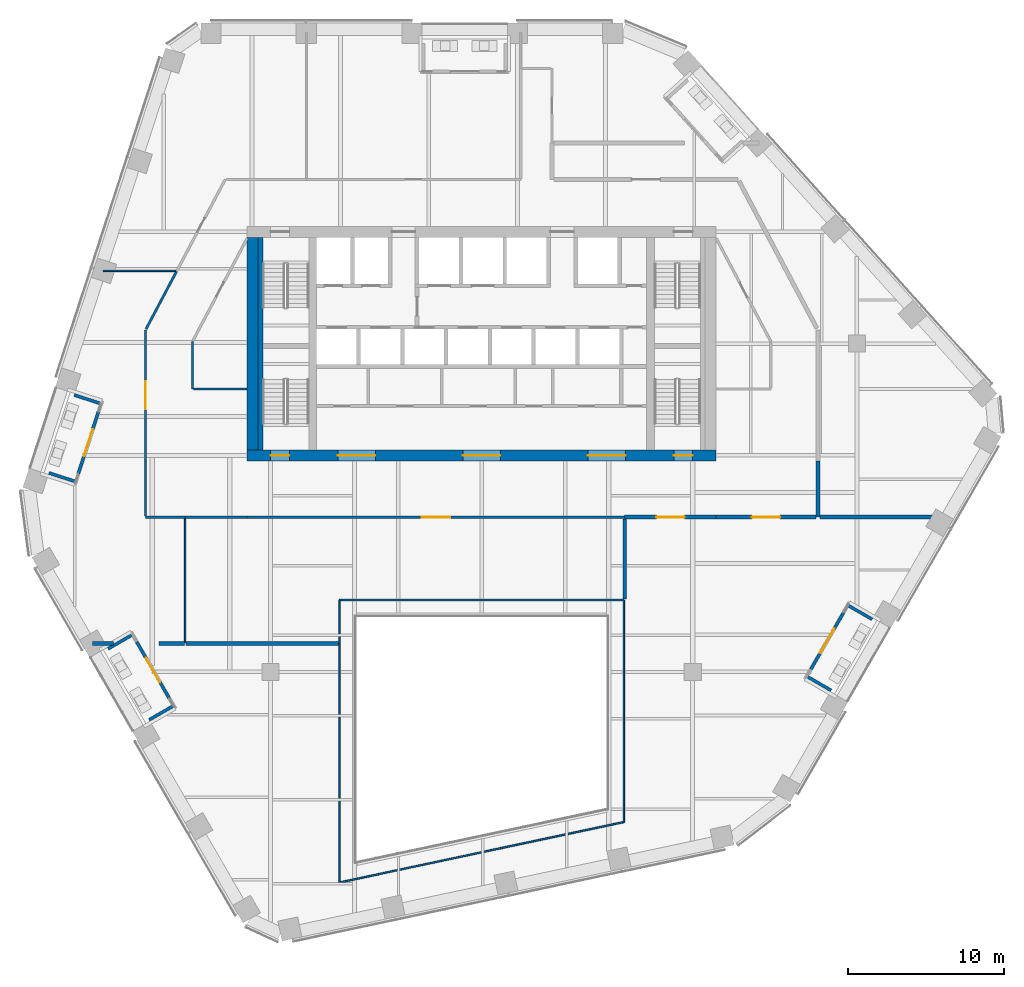
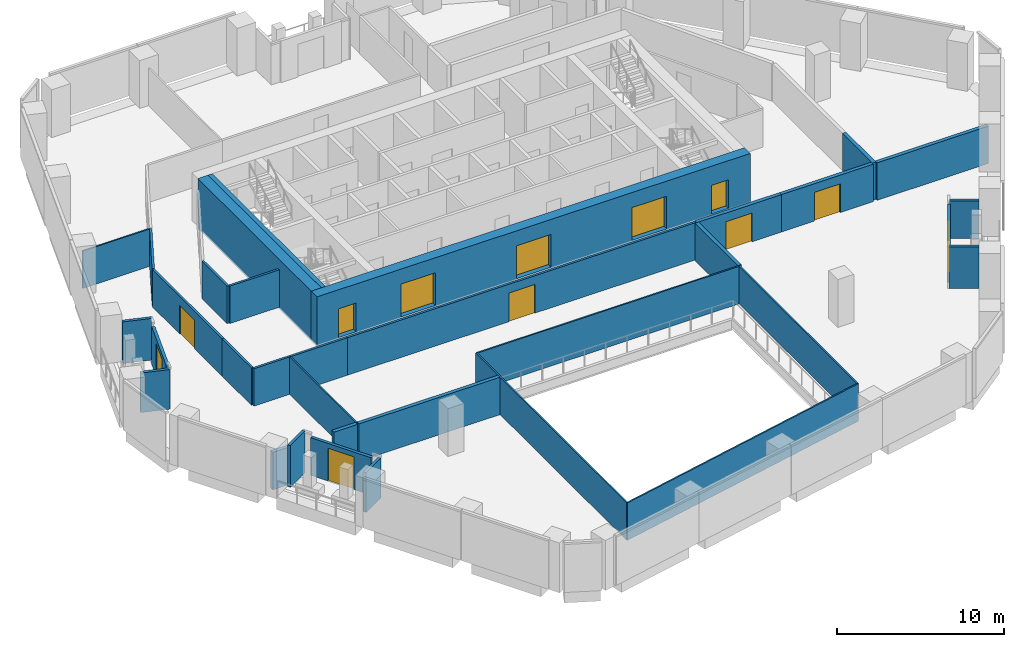
# One storey, part 18 of 25: 34 walls, 12 doors, 12 openings.
"""IFC4 building model written with IfcOpenShell, lengths in metres."""

from ifc_helpers import new_model, si_unit, direction, frame, frame_2d, origin, place, context, subcontext, project, spatial, rectangle, extrude, material, layer, layer_set, type_object, element, fill, save


model = new_model("IFC4")

# Units and contexts
model_context = context("Model", 3, precision=1e-05, world=origin(), true_north=direction((0.0, 1.0)))
body_context = subcontext(model_context, "Body", "Model", "MODEL_VIEW")
ifc_project = project(units=[si_unit("LENGTHUNIT", "METRE"), si_unit("AREAUNIT", "SQUARE_METRE"), si_unit("VOLUMEUNIT", "CUBIC_METRE"), si_unit("PLANEANGLEUNIT", "RADIAN"), si_unit("MASSUNIT", "GRAM", prefix="KILO")], contexts=[model_context])

# Site, building, storey
site_placement = place(None, origin())
site = spatial("IfcSite", under=ifc_project, at=site_placement, CompositionType="ELEMENT")
building_placement = place(site_placement, origin())
building = spatial("IfcBuilding", under=site, at=building_placement, Name="Isthmus Gate Tower", CompositionType="ELEMENT")
storey_placement = place(building_placement, frame((0.0, 0.0, 174.449951171875)))
storey = spatial("IfcBuildingStorey", under=building, at=storey_placement, Name="L43", CompositionType="ELEMENT", Elevation=174.449951171875)

# Wall, opening, door
ifc_material_1 = material(Name="Double-leaf acoustic stud wall, fire-rated", Category="gypsum")
ifc_layer_1 = layer(ifc_material_1, 0.25)
ifc_layer_set_1 = layer_set([ifc_layer_1], Name="ACOUSTIC WALL 250 60 MIN")
wall_type_1 = type_object("IfcWallType", Name="ACOUSTIC WALL 250 60 MIN", PredefinedType="PARTITIONING", material=ifc_layer_set_1)
wall_1_placement = place(storey_placement, frame((15.0, -3.60009765625, 0.0), z_axis=(0.0, 0.0, 1.0), x_axis=(-1.0, 0.0, 0.0)))
wall_1 = element("IfcWall", 1, at=wall_1_placement, inside=storey, type_object=wall_type_1, Name="L43 Acoustic Wall 250 60 Min", PredefinedType="PARTITIONING", context=body_context, shape_type="SweptSolid", body=[
    extrude(rectangle(XDim=5.85009765625, YDim=0.25, at=frame_2d((2.925048828125, 0.0))), origin(), (0.0, 0.0, 1.0), 2.7412109375),
])
opening_1_placement = place(wall_1_placement, frame((2.02490234375, 0.0, 0.0)))
opening_1 = element("IfcOpeningElement", 2, at=opening_1_placement, cuts=wall_1, Name="Opening DT-T4A-10", PredefinedType="OPENING", context=body_context, shape_type="SweptSolid", body=[
    extrude(rectangle(XDim=1.800048828125, YDim=2.10009765625, at=frame_2d((0.89990234375, 1.050048828125))), frame((0.0, 0.135009765625, 0.0), z_axis=(0.0, -1.0, 0.0), x_axis=(1.0, 0.0, 0.0)), (0.0, 0.0, 1.0), 0.27001953125),
])
ifc_material_2 = material(Name="Solid core timber door leaf, fire-rated", Category="wood")
door_type_1 = type_object("IfcDoorType", Name="FIRE DOOR ACOUSTIC ROOM 1800 X 2100 60 MIN", OperationType="DOUBLE_DOOR_DOUBLE_SWING", PredefinedType="DOOR", material=ifc_material_2)
door_1_placement = place(opening_1_placement, origin())
door_1 = element("IfcDoor", 3, at=door_1_placement, inside=storey, type_object=door_type_1, Name="L43 room door", OperationType="DOUBLE_DOOR_DOUBLE_SWING", OverallHeight=2.10009765625, OverallWidth=1.800048828125, PredefinedType="DOOR", context=body_context, shape_type="SweptSolid", body=[
    extrude(rectangle(XDim=1.800048828125, YDim=2.10009765625, at=frame_2d((0.89990234375, 1.050048828125))), frame((0.0, 0.02490234375, 0.0), z_axis=(0.0, -1.0, 0.0), x_axis=(1.0, 0.0, 0.0)), (0.0, 0.0, 1.0), 0.050048828125),
])
fill(opening_1, door_1)

# Wall
wall_2_placement = place(storey_placement, frame((21.5, 0.0, 0.0), z_axis=(0.0, 0.0, 1.0), x_axis=(0.0, -1.0, 0.0)))
element("IfcWall", 4, at=wall_2_placement, inside=storey, type_object=wall_type_1, Name="L43 Acoustic Wall 250 60 Min", PredefinedType="PARTITIONING", context=body_context, shape_type="SweptSolid", body=[
    extrude(rectangle(XDim=3.60009765625, YDim=0.25, at=frame_2d((1.800048828125, 0.0))), origin(), (0.0, 0.0, 1.0), 2.7412109375),
])

# Wall, opening, door
wall_3_placement = place(storey_placement, frame((21.375, -3.60009765625, 0.0), z_axis=(0.0, 0.0, 1.0), x_axis=(-1.0, 0.0, 0.0)))
wall_3 = element("IfcWall", 5, at=wall_3_placement, inside=storey, type_object=wall_type_1, Name="L43 Acoustic Wall 250 60 Min", PredefinedType="PARTITIONING", context=body_context, shape_type="SweptSolid", body=[
    extrude(rectangle(XDim=6.375, YDim=0.25, at=frame_2d((3.1875, 0.0))), origin(), (0.0, 0.0, 1.0), 2.7412109375),
])
opening_2_placement = place(wall_3_placement, frame((2.28759765625, 0.0, 0.0)))
opening_2 = element("IfcOpeningElement", 6, at=opening_2_placement, cuts=wall_3, Name="Opening DT-T4A-09", PredefinedType="OPENING", context=body_context, shape_type="SweptSolid", body=[
    extrude(rectangle(XDim=1.800048828125, YDim=2.10009765625, at=frame_2d((0.89990234375, 1.050048828125))), frame((0.0, 0.135009765625, 0.0), z_axis=(0.0, -1.0, 0.0), x_axis=(1.0, 0.0, 0.0)), (0.0, 0.0, 1.0), 0.27001953125),
])
door_2_placement = place(opening_2_placement, origin())
door_2 = element("IfcDoor", 7, at=door_2_placement, inside=storey, type_object=door_type_1, Name="L43 room door", OperationType="DOUBLE_DOOR_DOUBLE_SWING", OverallHeight=2.10009765625, OverallWidth=1.800048828125, PredefinedType="DOOR", context=body_context, shape_type="SweptSolid", body=[
    extrude(rectangle(XDim=1.800048828125, YDim=2.10009765625, at=frame_2d((0.89990234375, 1.050048828125))), frame((0.0, 0.02490234375, 0.0), z_axis=(0.0, -1.0, 0.0), x_axis=(1.0, 0.0, 0.0)), (0.0, 0.0, 1.0), 0.050048828125),
])
fill(opening_2, door_2)

# Walls
wall_4_placement = place(storey_placement, frame((21.6259765625, -3.597900390625, 0.0), z_axis=(0.0, 0.0, 1.0), x_axis=(1.0, 0.0, 0.0)))
element("IfcWall", 8, at=wall_4_placement, inside=storey, type_object=wall_type_1, Name="L43 Acoustic Wall 250 60 Min", PredefinedType="PARTITIONING", context=body_context, shape_type="SweptSolid", body=[
    extrude(rectangle(XDim=7.72509765625, YDim=0.25, at=frame_2d((3.862548828125, 0.0))), origin(), (0.0, 0.0, 1.0), 2.7412109375),
])
wall_5_placement = place(storey_placement, frame((-24.887939453125, -11.693115234375, 0.0), z_axis=(0.0, 0.0, 1.0), x_axis=(1.0, 0.0, 0.0)))
element("IfcWall", 9, at=wall_5_placement, inside=storey, type_object=wall_type_1, Name="L43 Acoustic Wall 250 60 Min", PredefinedType="PARTITIONING", context=body_context, shape_type="SweptSolid", body=[
    extrude(rectangle(XDim=1.328125, YDim=0.25, at=frame_2d((0.6640625, 0.0))), origin(), (0.0, 0.0, 1.0), 2.7412109375),
])
wall_6_placement = place(storey_placement, frame((-20.64013671875, -11.693115234375, 0.0), z_axis=(0.0, 0.0, 1.0), x_axis=(1.0, 0.0, 0.0)))
element("IfcWall", 10, at=wall_6_placement, inside=storey, type_object=wall_type_1, Name="L43 Acoustic Wall 250 60 Min", PredefinedType="PARTITIONING", context=body_context, shape_type="SweptSolid", body=[
    extrude(rectangle(XDim=1.625244140625, YDim=0.25, at=frame_2d((0.8125, 0.0))), origin(), (0.0, 0.0, 1.0), 2.7412109375),
])
wall_7_placement = place(storey_placement, frame((-18.9150390625, -11.693115234375, 0.0), z_axis=(0.0, 0.0, 1.0), x_axis=(1.0, 0.0, 0.0)))
element("IfcWall", 11, at=wall_7_placement, inside=storey, type_object=wall_type_1, Name="L43 Acoustic Wall 250 60 Min", PredefinedType="PARTITIONING", context=body_context, shape_type="SweptSolid", body=[
    extrude(rectangle(XDim=9.76513671875, YDim=0.25, at=frame_2d((4.882568359375, 0.0))), origin(), (0.0, 0.0, 1.0), 2.7412109375),
])
wall_8_placement = place(storey_placement, frame((9.14990234375, -8.85009765625, 0.0), z_axis=(0.0, 0.0, 1.0), x_axis=(0.0, 1.0, 0.0)))
element("IfcWall", 12, at=wall_8_placement, inside=storey, type_object=wall_type_1, Name="L43 Acoustic Wall 250 60 Min", PredefinedType="PARTITIONING", context=body_context, shape_type="SweptSolid", body=[
    extrude(rectangle(XDim=5.125, YDim=0.25, at=frame_2d((2.5625, 0.0))), origin(), (0.0, 0.0, 1.0), 2.7412109375),
])
ifc_material_3 = material(Name="Fire-rated laminated glass in steel frame", Category="steel")
ifc_layer_2 = layer(ifc_material_3, 0.10009765625)
ifc_layer_set_2 = layer_set([ifc_layer_2], Name="ATRIUM SCREEN GLAZED WALL 100 120 MIN")
wall_type_2 = type_object("IfcWallType", Name="ATRIUM SCREEN GLAZED WALL 100 120 MIN", PredefinedType="PARTITIONING", material=ifc_layer_set_2)
wall_9_placement = place(storey_placement, frame((-9.10009765625, -8.89990234375, 0.0), z_axis=(0.0, 0.0, 1.0), x_axis=(1.0, 0.0, 0.0)))
element("IfcWall", 13, at=wall_9_placement, inside=storey, type_object=wall_type_2, Name="L43 atrium screen", PredefinedType="PARTITIONING", context=body_context, shape_type="SweptSolid", body=[
    extrude(rectangle(XDim=18.2001953125, YDim=0.10009765625, at=frame_2d((9.10009765625, 0.0))), origin(), (0.0, 0.0, 1.0), 2.7412109375),
])
wall_10_placement = place(storey_placement, frame((9.10009765625, -8.89990234375, 0.0), z_axis=(0.0, 0.0, 1.0), x_axis=(0.0, -1.0, 0.0)))
element("IfcWall", 14, at=wall_10_placement, inside=storey, type_object=wall_type_2, Name="L43 atrium screen", PredefinedType="PARTITIONING", context=body_context, shape_type="SweptSolid", body=[
    extrude(rectangle(XDim=14.200927734375, YDim=0.10009765625, at=frame_2d((7.1005859375, 0.0))), origin(), (0.0, 0.0, 1.0), 2.7412109375),
])
wall_11_placement = place(storey_placement, frame((9.10009765625, -23.100830078125, 0.0), z_axis=(0.0, 0.0, 1.0), x_axis=(-0.978146710971, -0.207915876778, 0.0)))
element("IfcWall", 15, at=wall_11_placement, inside=storey, type_object=wall_type_2, Name="L43 atrium screen", PredefinedType="PARTITIONING", context=body_context, shape_type="SweptSolid", body=[
    extrude(rectangle(XDim=18.60693359375, YDim=0.10009765625, at=frame_2d((9.303466796875, 0.0))), origin(), (0.0, 0.0, 1.0), 2.7412109375),
])
wall_12_placement = place(storey_placement, frame((-9.10009765625, -26.969482421875, 0.0), z_axis=(0.0, 0.0, 1.0), x_axis=(0.0, 1.0, 0.0)))
element("IfcWall", 16, at=wall_12_placement, inside=storey, type_object=wall_type_2, Name="L43 atrium screen", PredefinedType="PARTITIONING", context=body_context, shape_type="SweptSolid", body=[
    extrude(rectangle(XDim=18.069580078125, YDim=0.10009765625, at=frame_2d((9.03466796875, 0.0))), origin(), (0.0, 0.0, 1.0), 2.7412109375),
])

# Wall, opening, door
ifc_material_4 = material(Name="Gypsum board on steel studs, fire-rated", Category="steel")
ifc_layer_3 = layer(ifc_material_4, 0.14990234375)
ifc_layer_set_3 = layer_set([ifc_layer_3], Name="CORRIDOR WALL 150 60 MIN")
wall_type_3 = type_object("IfcWallType", Name="CORRIDOR WALL 150 60 MIN", PredefinedType="PARTITIONING", material=ifc_layer_set_3)
wall_13_placement = place(storey_placement, frame((9.14990234375, -3.60009765625, 0.0), z_axis=(0.0, 0.0, 1.0), x_axis=(-1.0, 0.0, 0.0)))
wall_13 = element("IfcWall", 17, at=wall_13_placement, inside=storey, type_object=wall_type_3, Name="L43 Corridor Wall 150 60 Min", PredefinedType="PARTITIONING", context=body_context, shape_type="SweptSolid", body=[
    extrude(rectangle(XDim=24.14990234375, YDim=0.14990234375, at=frame_2d((12.074951171875, 0.0))), origin(), (0.0, 0.0, 1.0), 2.7412109375),
])
opening_3_placement = place(wall_13_placement, frame((11.175048828125, 0.0, 0.0)))
opening_3 = element("IfcOpeningElement", 18, at=opening_3_placement, cuts=wall_13, Name="Opening DT-T4A-08", PredefinedType="OPENING", context=body_context, shape_type="SweptSolid", body=[
    extrude(rectangle(XDim=1.800048828125, YDim=2.10009765625, at=frame_2d((0.89990234375, 1.050048828125))), frame((0.0, 0.0849609375, 0.0), z_axis=(0.0, -1.0, 0.0), x_axis=(1.0, 0.0, 0.0)), (0.0, 0.0, 1.0), 0.169921875),
])
ifc_material_5 = material(Name="Solid core timber door leaf, fire-rated", Category="wood")
door_type_2 = type_object("IfcDoorType", Name="FIRE DOOR ROOM 1800 X 2100 60 MIN", OperationType="DOUBLE_DOOR_DOUBLE_SWING", PredefinedType="DOOR", material=ifc_material_5)
door_3_placement = place(opening_3_placement, origin())
door_3 = element("IfcDoor", 19, at=door_3_placement, inside=storey, type_object=door_type_2, Name="L43 room door", OperationType="DOUBLE_DOOR_DOUBLE_SWING", OverallHeight=2.10009765625, OverallWidth=1.800048828125, PredefinedType="DOOR", context=body_context, shape_type="SweptSolid", body=[
    extrude(rectangle(XDim=1.800048828125, YDim=2.10009765625, at=frame_2d((0.89990234375, 1.050048828125))), frame((0.0, 0.02490234375, 0.0), z_axis=(0.0, -1.0, 0.0), x_axis=(1.0, 0.0, 0.0)), (0.0, 0.0, 1.0), 0.050048828125),
])
fill(opening_3, door_3)

# Walls
wall_14_placement = place(storey_placement, frame((-18.965087890625, -3.60009765625, 0.0), z_axis=(0.0, 0.0, 1.0), x_axis=(-1.0, 0.0, 0.0)))
element("IfcWall", 20, at=wall_14_placement, inside=storey, type_object=wall_type_3, Name="L43 Corridor Wall 150 60 Min", PredefinedType="PARTITIONING", context=body_context, shape_type="SweptSolid", body=[
    extrude(rectangle(XDim=2.534912109375, YDim=0.14990234375, at=frame_2d((1.267578125, 0.0))), origin(), (0.0, 0.0, 1.0), 2.7412109375),
])
wall_15_placement = place(storey_placement, frame((-15.0, -3.60009765625, 0.0), z_axis=(0.0, 0.0, 1.0), x_axis=(-1.0, 0.0, 0.0)))
element("IfcWall", 21, at=wall_15_placement, inside=storey, type_object=wall_type_3, Name="L43 Corridor Wall 150 60 Min", PredefinedType="PARTITIONING", context=body_context, shape_type="SweptSolid", body=[
    extrude(rectangle(XDim=3.965087890625, YDim=0.14990234375, at=frame_2d((1.982421875, 0.0))), origin(), (0.0, 0.0, 1.0), 2.7412109375),
])
wall_16_placement = place(storey_placement, frame((-18.5, 7.626953125, 0.0), z_axis=(0.0, 0.0, 1.0), x_axis=(0.0, -1.0, 0.0)))
element("IfcWall", 22, at=wall_16_placement, inside=storey, type_object=wall_type_3, Name="L43 Corridor Wall 150 60 Min", PredefinedType="PARTITIONING", context=body_context, shape_type="SweptSolid", body=[
    extrude(rectangle(XDim=3.02685546875, YDim=0.14990234375, at=frame_2d((1.513427734375, 0.0))), origin(), (0.0, 0.0, 1.0), 2.7412109375),
])
wall_17_placement = place(storey_placement, frame((-18.425048828125, 4.60009765625, 0.0), z_axis=(0.0, 0.0, 1.0), x_axis=(1.0, 0.0, 0.0)))
element("IfcWall", 23, at=wall_17_placement, inside=storey, type_object=wall_type_3, Name="L43 Corridor Wall 150 60 Min", PredefinedType="PARTITIONING", context=body_context, shape_type="SweptSolid", body=[
    extrude(rectangle(XDim=3.425048828125, YDim=0.14990234375, at=frame_2d((1.71240234375, 0.0))), origin(), (0.0, 0.0, 1.0), 2.7412109375),
])
wall_18_placement = place(storey_placement, frame((-21.5, -3.52490234375, 0.0), z_axis=(0.0, 0.0, 1.0), x_axis=(0.0, 1.0, 0.0)))
element("IfcWall", 24, at=wall_18_placement, inside=storey, type_object=wall_type_3, Name="L43 Corridor Wall 150 60 Min", PredefinedType="PARTITIONING", context=body_context, shape_type="SweptSolid", body=[
    extrude(rectangle(XDim=3.52490234375, YDim=0.14990234375, at=frame_2d((1.762451171875, 0.0))), origin(), (0.0, 0.0, 1.0), 2.7412109375),
])

# Wall, opening, door
wall_19_placement = place(storey_placement, frame((-21.5, 0.0, 0.0), z_axis=(0.0, 0.0, 1.0), x_axis=(0.0, 1.0, 0.0)))
wall_19 = element("IfcWall", 25, at=wall_19_placement, inside=storey, type_object=wall_type_3, Name="L43 Corridor Wall 150 60 Min", PredefinedType="PARTITIONING", context=body_context, shape_type="SweptSolid", body=[
    extrude(rectangle(XDim=8.373046875, YDim=0.14990234375, at=frame_2d((4.1865234375, 0.0))), origin(), (0.0, 0.0, 1.0), 2.7412109375),
])
opening_4_placement = place(wall_19_placement, frame((3.28662109375, 0.0, 0.0)))
opening_4 = element("IfcOpeningElement", 26, at=opening_4_placement, cuts=wall_19, Name="Opening DT-T4A-07", PredefinedType="OPENING", context=body_context, shape_type="SweptSolid", body=[
    extrude(rectangle(XDim=1.800048828125, YDim=2.10009765625, at=frame_2d((0.89990234375, 1.050048828125))), frame((0.0, 0.0849609375, 0.0), z_axis=(0.0, -1.0, 0.0), x_axis=(1.0, 0.0, 0.0)), (0.0, 0.0, 1.0), 0.169921875),
])
door_4_placement = place(opening_4_placement, origin())
door_4 = element("IfcDoor", 27, at=door_4_placement, inside=storey, type_object=door_type_2, Name="L43 room door", OperationType="DOUBLE_DOOR_DOUBLE_SWING", OverallHeight=2.10009765625, OverallWidth=1.800048828125, PredefinedType="DOOR", context=body_context, shape_type="SweptSolid", body=[
    extrude(rectangle(XDim=1.800048828125, YDim=2.10009765625, at=frame_2d((0.89990234375, 1.050048828125))), frame((0.0, 0.02490234375, 0.0), z_axis=(0.0, -1.0, 0.0), x_axis=(1.0, 0.0, 0.0)), (0.0, 0.0, 1.0), 0.050048828125),
])
fill(opening_4, door_4)

# Wall
wall_20_placement = place(storey_placement, frame((-21.46484375, 8.439208984375, 0.0), z_axis=(0.0, 0.0, 1.0), x_axis=(0.467890419772, 0.883786487272, 0.0)))
element("IfcWall", 28, at=wall_20_placement, inside=storey, type_object=wall_type_3, Name="L43 Corridor Wall 150 60 Min", PredefinedType="PARTITIONING", context=body_context, shape_type="SweptSolid", body=[
    extrude(rectangle(XDim=4.155517578125, YDim=0.14990234375, at=frame_2d((2.07763671875, 0.0))), origin(), (0.0, 0.0, 1.0), 2.7412109375),
])

# Wall, opening, door
ifc_material_6 = material(Name="Precast concrete C40/50", Category="concrete")
ifc_layer_4 = layer(ifc_material_6, 0.199951171875)
ifc_layer_set_4 = layer_set([ifc_layer_4], Name="LOGGIA WALL 200")
wall_type_4 = type_object("IfcWallType", Name="LOGGIA WALL 200", PredefinedType="SOLIDWALL", material=ifc_layer_set_4)
wall_21_placement = place(storey_placement, frame((-24.5107421875, 3.16162109375, 0.0), z_axis=(0.0, 0.0, 1.0), x_axis=(-0.30901640812, -0.951056706781, 0.0)))
wall_21 = element("IfcWall", 29, at=wall_21_placement, inside=storey, type_object=wall_type_4, Name="LOGGIA BACK WALL", PredefinedType="SOLIDWALL", context=body_context, shape_type="SweptSolid", body=[
    extrude(rectangle(XDim=4.199951171875, YDim=0.199951171875, at=frame_2d((2.10009765625, 0.0))), origin(), (0.0, 0.0, 1.0), 2.750732421875),
])
opening_5_placement = place(wall_21_placement, frame((1.199951171875, 0.0, 0.0)))
opening_5 = element("IfcOpeningElement", 30, at=opening_5_placement, cuts=wall_21, Name="Opening DE43-02", PredefinedType="OPENING", context=body_context, shape_type="SweptSolid", body=[
    extrude(rectangle(XDim=1.800048828125, YDim=2.39990234375, at=frame_2d((0.89990234375, 1.199951171875))), frame((0.0, 0.10986328125, 0.0), z_axis=(0.0, -1.0, 0.0), x_axis=(1.0, 0.0, 0.0)), (0.0, 0.0, 1.0), 0.219970703125),
])
ifc_material_7 = material(Name="Aluminium, pale champagne anodised, laminated glass", Category="aluminium")
door_type_3 = type_object("IfcDoorType", Name="LOGGIA DOOR SLIDING 1800 X 2400", OperationType="DOUBLE_DOOR_SLIDING", PredefinedType="DOOR", material=ifc_material_7)
door_5_placement = place(opening_5_placement, origin())
door_5 = element("IfcDoor", 31, at=door_5_placement, inside=storey, type_object=door_type_3, Name="DOOR DE43-02", OperationType="SINGLE_SWING_LEFT", OverallHeight=2.39990234375, OverallWidth=1.800048828125, PredefinedType="DOOR", context=body_context, shape_type="SweptSolid", body=[
    extrude(rectangle(XDim=1.800048828125, YDim=2.39990234375, at=frame_2d((0.89990234375, 1.199951171875))), frame((0.0, 0.02490234375, 0.0), z_axis=(0.0, -1.0, 0.0), x_axis=(1.0, 0.0, 0.0)), (0.0, 0.0, 1.0), 0.050048828125),
])
fill(opening_5, door_5)

# Walls
wall_22_placement = place(storey_placement, frame((-26.061767578125, 4.212646484375, 0.0), z_axis=(0.0, 0.0, 1.0), x_axis=(0.951051165303, -0.309033462549, 0.0)))
element("IfcWall", 32, at=wall_22_placement, inside=storey, type_object=wall_type_4, Name="LOGGIA SIDE WALL", PredefinedType="SOLIDWALL", context=body_context, shape_type="SweptSolid", body=[
    extrude(rectangle(XDim=1.783935546875, YDim=0.199951171875, at=frame_2d((0.89208984375, 0.0))), origin(), (0.0, 0.0, 1.0), 3.050048828125),
])
wall_23_placement = place(storey_placement, frame((-27.681396484375, -0.771484375, 0.0), z_axis=(0.0, 0.0, 1.0), x_axis=(0.951064233263, -0.30899324298, 0.0)))
element("IfcWall", 33, at=wall_23_placement, inside=storey, type_object=wall_type_4, Name="LOGGIA SIDE WALL", PredefinedType="SOLIDWALL", context=body_context, shape_type="SweptSolid", body=[
    extrude(rectangle(XDim=1.7841796875, YDim=0.199951171875, at=frame_2d((0.89208984375, 0.0))), origin(), (0.0, 0.0, 1.0), 2.896728515625),
])

# Wall, opening, door
wall_24_placement = place(storey_placement, frame((-22.07080078125, -11.572509765625, 0.0), z_axis=(0.0, 0.0, 1.0), x_axis=(0.500027713859, -0.866009402589, 0.0)))
wall_24 = element("IfcWall", 34, at=wall_24_placement, inside=storey, type_object=wall_type_4, Name="LOGGIA BACK WALL", PredefinedType="SOLIDWALL", context=body_context, shape_type="SweptSolid", body=[
    extrude(rectangle(XDim=4.199951171875, YDim=0.199951171875, at=frame_2d((2.10009765625, 0.0))), origin(), (0.0, 0.0, 1.0), 2.750732421875),
])
opening_6_placement = place(wall_24_placement, frame((1.199951171875, 0.0, 0.0)))
opening_6 = element("IfcOpeningElement", 35, at=opening_6_placement, cuts=wall_24, Name="Opening DE43-03", PredefinedType="OPENING", context=body_context, shape_type="SweptSolid", body=[
    extrude(rectangle(XDim=1.800048828125, YDim=2.39990234375, at=frame_2d((0.89990234375, 1.199951171875))), frame((0.0, 0.10986328125, 0.0), z_axis=(0.0, -1.0, 0.0), x_axis=(1.0, 0.0, 0.0)), (0.0, 0.0, 1.0), 0.219970703125),
])
door_6_placement = place(opening_6_placement, origin())
door_6 = element("IfcDoor", 36, at=door_6_placement, inside=storey, type_object=door_type_3, Name="DOOR DE43-03", OperationType="SINGLE_SWING_LEFT", OverallHeight=2.39990234375, OverallWidth=1.800048828125, PredefinedType="DOOR", context=body_context, shape_type="SweptSolid", body=[
    extrude(rectangle(XDim=1.800048828125, YDim=2.39990234375, at=frame_2d((0.89990234375, 1.199951171875))), frame((0.0, 0.02490234375, 0.0), z_axis=(0.0, -1.0, 0.0), x_axis=(1.0, 0.0, 0.0)), (0.0, 0.0, 1.0), 0.050048828125),
])
fill(opening_6, door_6)

# Walls
wall_25_placement = place(storey_placement, frame((-23.89208984375, -12.017578125, 0.0), z_axis=(0.0, 0.0, 1.0), x_axis=(0.866053404088, 0.499951498915, 0.0)))
element("IfcWall", 37, at=wall_25_placement, inside=storey, type_object=wall_type_4, Name="LOGGIA SIDE WALL", PredefinedType="SOLIDWALL", context=body_context, shape_type="SweptSolid", body=[
    extrude(rectangle(XDim=1.783935546875, YDim=0.199951171875, at=frame_2d((0.89208984375, 0.0))), origin(), (0.0, 0.0, 1.0), 3.050048828125),
])
wall_26_placement = place(storey_placement, frame((-21.26708984375, -16.564453125, 0.0), z_axis=(0.0, 0.0, 1.0), x_axis=(0.866028357664, 0.499994883695, 0.0)))
element("IfcWall", 38, at=wall_26_placement, inside=storey, type_object=wall_type_4, Name="LOGGIA SIDE WALL", PredefinedType="SOLIDWALL", context=body_context, shape_type="SweptSolid", body=[
    extrude(rectangle(XDim=1.7841796875, YDim=0.199951171875, at=frame_2d((0.89208984375, 0.0))), origin(), (0.0, 0.0, 1.0), 2.89990234375),
])

# Wall, opening, door
wall_27_placement = place(storey_placement, frame((21.057373046875, -13.32763671875, 0.0), z_axis=(0.0, 0.0, 1.0), x_axis=(0.500002543286, 0.866023935413, 0.0)))
wall_27 = element("IfcWall", 39, at=wall_27_placement, inside=storey, type_object=wall_type_4, Name="LOGGIA BACK WALL", PredefinedType="SOLIDWALL", context=body_context, shape_type="SweptSolid", body=[
    extrude(rectangle(XDim=4.2001953125, YDim=0.199951171875, at=frame_2d((2.10009765625, 0.0))), origin(), (0.0, 0.0, 1.0), 2.820556640625),
])
opening_7_placement = place(wall_27_placement, frame((1.199951171875, 0.0, 0.0)))
opening_7 = element("IfcOpeningElement", 40, at=opening_7_placement, cuts=wall_27, Name="Opening DE43-04", PredefinedType="OPENING", context=body_context, shape_type="SweptSolid", body=[
    extrude(rectangle(XDim=1.800048828125, YDim=2.39990234375, at=frame_2d((0.89990234375, 1.199951171875))), frame((0.0, 0.10986328125, 0.0), z_axis=(0.0, -1.0, 0.0), x_axis=(1.0, 0.0, 0.0)), (0.0, 0.0, 1.0), 0.219970703125),
])
door_7_placement = place(opening_7_placement, origin())
door_7 = element("IfcDoor", 41, at=door_7_placement, inside=storey, type_object=door_type_3, Name="DOOR DE43-04", OperationType="SINGLE_SWING_LEFT", OverallHeight=2.39990234375, OverallWidth=1.800048828125, PredefinedType="DOOR", context=body_context, shape_type="SweptSolid", body=[
    extrude(rectangle(XDim=1.800048828125, YDim=2.39990234375, at=frame_2d((0.89990234375, 1.199951171875))), frame((0.0, 0.02490234375, 0.0), z_axis=(0.0, -1.0, 0.0), x_axis=(1.0, 0.0, 0.0)), (0.0, 0.0, 1.0), 0.050048828125),
])
fill(opening_7, door_7)

# Walls
wall_28_placement = place(storey_placement, frame((22.353759765625, -14.682373046875, 0.0), z_axis=(0.0, 0.0, 1.0), x_axis=(-0.866028357664, 0.499994883695, 0.0)))
element("IfcWall", 42, at=wall_28_placement, inside=storey, type_object=wall_type_4, Name="LOGGIA SIDE WALL", PredefinedType="SOLIDWALL", context=body_context, shape_type="SweptSolid", body=[
    extrude(rectangle(XDim=1.7841796875, YDim=0.199951171875, at=frame_2d((0.89208984375, 0.0))), origin(), (0.0, 0.0, 1.0), 3.050048828125),
])
wall_29_placement = place(storey_placement, frame((24.978759765625, -10.135498046875, 0.0), z_axis=(0.0, 0.0, 1.0), x_axis=(-0.866053404088, 0.499951498915, 0.0)))
element("IfcWall", 43, at=wall_29_placement, inside=storey, type_object=wall_type_4, Name="LOGGIA SIDE WALL", PredefinedType="SOLIDWALL", context=body_context, shape_type="SweptSolid", body=[
    extrude(rectangle(XDim=1.783935546875, YDim=0.199951171875, at=frame_2d((0.89208984375, 0.0))), origin(), (0.0, 0.0, 1.0), 2.7412109375),
])

# Wall, openings, doors
ifc_material_8 = material(Name="Concrete f'c 60 MPa", Category="concrete")
ifc_layer_5 = layer(ifc_material_8, 0.699951171875)
ifc_layer_set_5 = layer_set([ifc_layer_5], Name="RC CORE WALL 700 F'C 60")
wall_type_5 = type_object("IfcWallType", Name="RC CORE WALL 700 F'C 60", PredefinedType="SOLIDWALL", material=ifc_layer_set_5)
wall_30_placement = place(storey_placement, frame((-15.0, 0.35009765625, -0.14990234375), z_axis=(0.0, 0.0, 1.0), x_axis=(1.0, 0.0, 0.0)))
wall_30 = element("IfcWall", 44, at=wall_30_placement, inside=storey, type_object=wall_type_5, Name="str-corewall-L43-S", PredefinedType="SOLIDWALL", context=body_context, shape_type="SweptSolid", body=[
    extrude(rectangle(XDim=30.0, YDim=0.699951171875, at=frame_2d((15.0, 0.0))), origin(), (0.0, 0.0, 1.0), 3.64990234375),
])
opening_8_placement = place(wall_30_placement, frame((5.800048828125, 0.0, 0.14990234375)))
opening_8 = element("IfcOpeningElement", 45, at=opening_8_placement, cuts=wall_30, Name="Opening DC-A10-10", PredefinedType="OPENING", context=body_context, shape_type="SweptSolid", body=[
    extrude(rectangle(XDim=2.39990234375, YDim=2.39990234375, at=frame_2d((1.199951171875, 1.199951171875))), frame((0.0, 0.35986328125, 0.0), z_axis=(0.0, -1.0, 0.0), x_axis=(1.0, 0.0, 0.0)), (0.0, 0.0, 1.0), 0.719970703125),
])
opening_9_placement = place(wall_30_placement, frame((13.800048828125, 0.0, 0.14990234375)))
opening_9 = element("IfcOpeningElement", 46, at=opening_9_placement, cuts=wall_30, Name="Opening DC-A10-11", PredefinedType="OPENING", context=body_context, shape_type="SweptSolid", body=[
    extrude(rectangle(XDim=2.39990234375, YDim=2.39990234375, at=frame_2d((1.199951171875, 1.199951171875))), frame((0.0, 0.35986328125, 0.0), z_axis=(0.0, -1.0, 0.0), x_axis=(1.0, 0.0, 0.0)), (0.0, 0.0, 1.0), 0.719970703125),
])
opening_10_placement = place(wall_30_placement, frame((21.800048828125, 0.0, 0.14990234375)))
opening_10 = element("IfcOpeningElement", 47, at=opening_10_placement, cuts=wall_30, Name="Opening DC-A10-12", PredefinedType="OPENING", context=body_context, shape_type="SweptSolid", body=[
    extrude(rectangle(XDim=2.39990234375, YDim=2.39990234375, at=frame_2d((1.199951171875, 1.199951171875))), frame((0.0, 0.35986328125, 0.0), z_axis=(0.0, -1.0, 0.0), x_axis=(1.0, 0.0, 0.0)), (0.0, 0.0, 1.0), 0.719970703125),
])
opening_11_placement = place(wall_30_placement, frame((1.5, 0.0, 0.14990234375)))
opening_11 = element("IfcOpeningElement", 48, at=opening_11_placement, cuts=wall_30, Name="Opening DC-A10-17", PredefinedType="OPENING", context=body_context, shape_type="SweptSolid", body=[
    extrude(rectangle(XDim=1.199951171875, YDim=2.10009765625, at=frame_2d((0.60009765625, 1.050048828125))), frame((0.0, 0.35986328125, 0.0), z_axis=(0.0, -1.0, 0.0), x_axis=(1.0, 0.0, 0.0)), (0.0, 0.0, 1.0), 0.719970703125),
])
opening_12_placement = place(wall_30_placement, frame((27.300048828125, 0.0, 0.14990234375)))
opening_12 = element("IfcOpeningElement", 49, at=opening_12_placement, cuts=wall_30, Name="Opening DC-A10-18", PredefinedType="OPENING", context=body_context, shape_type="SweptSolid", body=[
    extrude(rectangle(XDim=1.199951171875, YDim=2.10009765625, at=frame_2d((0.60009765625, 1.050048828125))), frame((0.0, 0.35986328125, 0.0), z_axis=(0.0, -1.0, 0.0), x_axis=(1.0, 0.0, 0.0)), (0.0, 0.0, 1.0), 0.719970703125),
])
ifc_material_9 = material(Name="Laminated safety glass in steel frame, fire-rated", Category="steel")
door_type_4 = type_object("IfcDoorType", Name="LOBBY ENTRANCE FIRE DOOR 2400 X 2400 60 MIN", OperationType="DOUBLE_DOOR_DOUBLE_SWING", PredefinedType="DOOR", material=ifc_material_9)
door_8_placement = place(opening_8_placement, origin())
door_8 = element("IfcDoor", 50, at=door_8_placement, inside=storey, type_object=door_type_4, Name="Lobby Entrance PS-W", OperationType="DOUBLE_DOOR_DOUBLE_SWING", OverallHeight=2.39990234375, OverallWidth=2.39990234375, PredefinedType="DOOR", context=body_context, shape_type="SweptSolid", body=[
    extrude(rectangle(XDim=2.39990234375, YDim=2.39990234375, at=frame_2d((1.199951171875, 1.199951171875))), frame((0.0, 0.02490234375, 0.0), z_axis=(0.0, -1.0, 0.0), x_axis=(1.0, 0.0, 0.0)), (0.0, 0.0, 1.0), 0.050048828125),
])
fill(opening_8, door_8)
door_9_placement = place(opening_9_placement, origin())
door_9 = element("IfcDoor", 51, at=door_9_placement, inside=storey, type_object=door_type_4, Name="Lobby Entrance PS-C", OperationType="DOUBLE_DOOR_DOUBLE_SWING", OverallHeight=2.39990234375, OverallWidth=2.39990234375, PredefinedType="DOOR", context=body_context, shape_type="SweptSolid", body=[
    extrude(rectangle(XDim=2.39990234375, YDim=2.39990234375, at=frame_2d((1.199951171875, 1.199951171875))), frame((0.0, 0.02490234375, 0.0), z_axis=(0.0, -1.0, 0.0), x_axis=(1.0, 0.0, 0.0)), (0.0, 0.0, 1.0), 0.050048828125),
])
fill(opening_9, door_9)
door_10_placement = place(opening_10_placement, origin())
door_10 = element("IfcDoor", 52, at=door_10_placement, inside=storey, type_object=door_type_4, Name="Lobby Entrance PS-E", OperationType="DOUBLE_DOOR_DOUBLE_SWING", OverallHeight=2.39990234375, OverallWidth=2.39990234375, PredefinedType="DOOR", context=body_context, shape_type="SweptSolid", body=[
    extrude(rectangle(XDim=2.39990234375, YDim=2.39990234375, at=frame_2d((1.199951171875, 1.199951171875))), frame((0.0, 0.02490234375, 0.0), z_axis=(0.0, -1.0, 0.0), x_axis=(1.0, 0.0, 0.0)), (0.0, 0.0, 1.0), 0.050048828125),
])
fill(opening_10, door_10)
ifc_material_10 = material(Name="Steel door leaf, fire-rated", Category="steel")
door_type_5 = type_object("IfcDoorType", Name="STAIR FIRE DOOR 1200 X 2100 90 MIN", OperationType="SINGLE_SWING_LEFT", PredefinedType="DOOR", material=ifc_material_10)
door_11_placement = place(opening_11_placement, origin())
door_11 = element("IfcDoor", 53, at=door_11_placement, inside=storey, type_object=door_type_5, Name="Exit Stair 7 Door", OperationType="SINGLE_SWING_LEFT", OverallHeight=2.10009765625, OverallWidth=1.199951171875, PredefinedType="DOOR", context=body_context, shape_type="SweptSolid", body=[
    extrude(rectangle(XDim=1.199951171875, YDim=2.10009765625, at=frame_2d((0.60009765625, 1.050048828125))), frame((0.0, 0.02490234375, 0.0), z_axis=(0.0, -1.0, 0.0), x_axis=(1.0, 0.0, 0.0)), (0.0, 0.0, 1.0), 0.050048828125),
])
fill(opening_11, door_11)
door_12_placement = place(opening_12_placement, origin())
door_12 = element("IfcDoor", 54, at=door_12_placement, inside=storey, type_object=door_type_5, Name="Exit Stair 8 Door", OperationType="SINGLE_SWING_RIGHT", OverallHeight=2.10009765625, OverallWidth=1.199951171875, PredefinedType="DOOR", context=body_context, shape_type="SweptSolid", body=[
    extrude(rectangle(XDim=1.199951171875, YDim=2.10009765625, at=frame_2d((0.60009765625, 1.050048828125))), frame((0.0, 0.02490234375, 0.0), z_axis=(0.0, -1.0, 0.0), x_axis=(1.0, 0.0, 0.0)), (0.0, 0.0, 1.0), 0.050048828125),
])
fill(opening_12, door_12)

# Walls
wall_31_placement = place(storey_placement, frame((-14.64990234375, 0.699951171875, -0.14990234375), z_axis=(0.0, 0.0, 1.0), x_axis=(0.0, 1.0, 0.0)))
element("IfcWall", 55, at=wall_31_placement, inside=storey, type_object=wall_type_5, Name="str-corewall-L43-W", PredefinedType="SOLIDWALL", context=body_context, shape_type="SweptSolid", body=[
    extrude(rectangle(XDim=13.60009765625, YDim=0.699951171875, at=frame_2d((6.800048828125, 0.0))), origin(), (0.0, 0.0, 1.0), 3.64990234375),
])
ifc_material_11 = material(Name="Gypsum board on steel studs, fire-rated", Category="steel")
ifc_layer_6 = layer(ifc_material_11, 0.10009765625)
ifc_layer_set_6 = layer_set([ifc_layer_6], Name="ROOM PARTITION 100 30 MIN")
wall_type_6 = type_object("IfcWallType", Name="ROOM PARTITION 100 30 MIN", PredefinedType="PARTITIONING", material=ifc_layer_set_6)
wall_32_placement = place(storey_placement, frame((-24.217041015625, 12.156005859375, 0.0), z_axis=(0.0, 0.0, 1.0), x_axis=(1.0, 0.0, 0.0)))
element("IfcWall", 56, at=wall_32_placement, inside=storey, type_object=wall_type_6, Name="L43 Room Partition 100 30 Min", PredefinedType="PARTITIONING", context=body_context, shape_type="SweptSolid", body=[
    extrude(rectangle(XDim=4.636962890625, YDim=0.10009765625, at=frame_2d((2.318359375, 0.0))), origin(), (0.0, 0.0, 1.0), 2.7412109375),
])
wall_33_placement = place(storey_placement, frame((-18.965087890625, -11.617919921875, 0.0), z_axis=(0.0, 0.0, 1.0), x_axis=(0.0, 1.0, 0.0)))
element("IfcWall", 57, at=wall_33_placement, inside=storey, type_object=wall_type_6, Name="L43 Room Partition 100 30 Min", PredefinedType="PARTITIONING", context=body_context, shape_type="SweptSolid", body=[
    extrude(rectangle(XDim=7.94287109375, YDim=0.10009765625, at=frame_2d((3.971435546875, 0.0))), origin(), (0.0, 0.0, 1.0), 2.7412109375),
])
ifc_material_12 = material(Name="Concrete f'c 40 MPa", Category="concrete")
ifc_layer_7 = layer(ifc_material_12, 0.300048828125)
ifc_layer_set_7 = layer_set([ifc_layer_7], Name="STAIR ENCLOSURE WALL 300 180 MIN")
wall_type_7 = type_object("IfcWallType", Name="STAIR ENCLOSURE WALL 300 180 MIN", PredefinedType="SOLIDWALL", material=ifc_layer_set_7)
wall_34_placement = place(storey_placement, frame((-14.14990234375, 0.699951171875, 0.0), z_axis=(0.0, 0.0, 1.0), x_axis=(0.0, 1.0, 0.0)))
element("IfcWall", 58, at=wall_34_placement, inside=storey, type_object=wall_type_7, Name="L43 STAIR ENCLOSURE WALL 300 180 MIN", PredefinedType="SOLIDWALL", context=body_context, shape_type="SweptSolid", body=[
    extrude(rectangle(XDim=13.60009765625, YDim=0.300048828125, at=frame_2d((6.800048828125, 0.0))), origin(), (0.0, 0.0, 1.0), 3.5),
])

save(model, "model.ifc")
